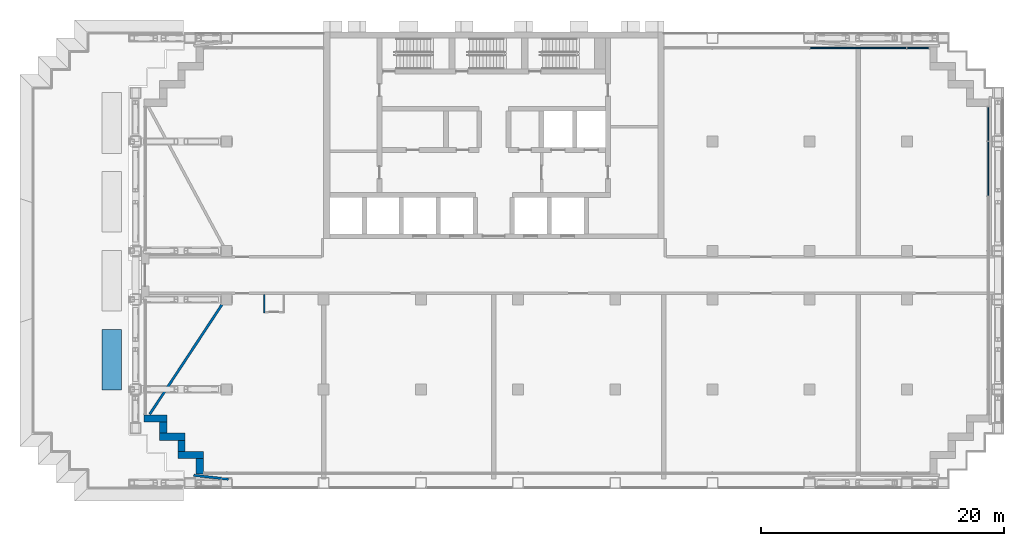
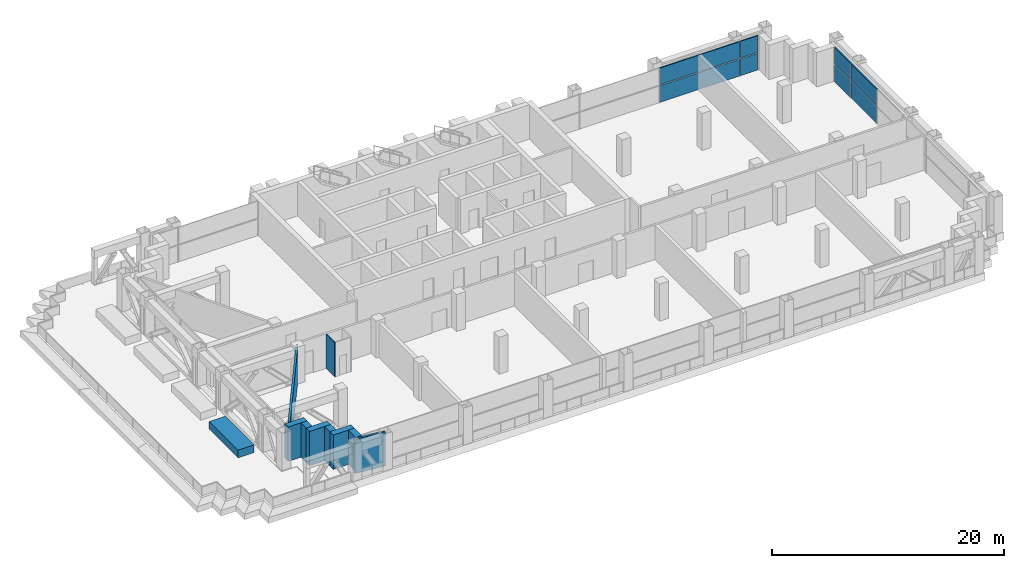
# One storey, part 7 of 19: 10 walls, 8 plates, 2 elements without a shape of their own.
"""IFC4 building model written with IfcOpenShell, lengths in metres."""

import ifcopenshell
import ifcopenshell.guid

model = None  # the IFC model being written
_history = None  # IfcOwnerHistory: only IFC2X3 demands one
_inside = {}  # id of a spatial element -> (the spatial element, [elements in it])
_under = {}  # id of a project, library or spatial element -> (it, [spatial elements below it])
_declared = {}  # id of a project -> (the project, [libraries it declares])
_typed = {}  # id of a type object -> (the type object, [elements of that type])
_made_of = {}  # id of a material, layer set ... -> (it, [elements and type objects made of it])


def new_model(schema):
    """Start an empty IFC model of exactly this schema.

    Asked for "IFC4X3", IfcOpenShell would pick the latest addendum, in which some entities
    have other attributes; the version numbers below select the first issue.
    IFC2X3 requires an IfcOwnerHistory on every rooted entity: one is made here for all.
    """
    global model, _history
    if schema == "IFC4X3":
        model = ifcopenshell.file(schema_version=(4, 3, 0, 0))
    else:
        model = ifcopenshell.file(schema=schema)
    _inside.clear()
    _under.clear()
    _declared.clear()
    _typed.clear()
    _made_of.clear()
    _history = None
    if model.schema == "IFC2X3":
        org = make("IfcOrganization", Name="unknown")
        user = make(
            "IfcPersonAndOrganization",
            ThePerson=make("IfcPerson", FamilyName="unknown"),
            TheOrganization=org,
        )
        app = make(
            "IfcApplication",
            ApplicationDeveloper=org,
            Version="unknown",
            ApplicationFullName="unknown",
            ApplicationIdentifier="unknown",
        )
        _history = make(
            "IfcOwnerHistory",
            OwningUser=user,
            OwningApplication=app,
            ChangeAction="ADDED",
            CreationDate=0,
        )
    return model


def make(cls, **values):
    """One entity of the class cls with the attributes given. An attribute that is None is left unset."""
    return model.create_entity(
        cls, **{name: value for name, value in values.items() if value is not None}
    )


def rooted(cls, **values):
    """An entity with a GlobalId (a new one), such as an element, a storey or a relation."""
    return make(cls, GlobalId=ifcopenshell.guid.new(), OwnerHistory=_history, **values)


def si_unit(unit_type, name, prefix=None):
    """IfcSIUnit, for example si_unit("LENGTHUNIT", "METRE", prefix="MILLI")."""
    return make("IfcSIUnit", UnitType=unit_type, Prefix=prefix, Name=name)


def assignment(units):
    """IfcUnitAssignment: the units of a project."""
    return None if units is None else make("IfcUnitAssignment", Units=units)


def point(xyz):
    """IfcCartesianPoint."""
    return None if xyz is None else make("IfcCartesianPoint", Coordinates=xyz)


def direction(xyz):
    """IfcDirection."""
    return None if xyz is None else make("IfcDirection", DirectionRatios=xyz)


def frame(location, z_axis=None, x_axis=None):
    """IfcAxis2Placement3D, a coordinate frame: its origin and axes. An axis left out is left unset."""
    return make(
        "IfcAxis2Placement3D",
        Location=point(location),
        Axis=direction(z_axis),
        RefDirection=direction(x_axis),
    )


def frame_2d(location, x_axis=None):
    """IfcAxis2Placement2D, a coordinate frame in the plane: its origin and x axis."""
    return make(
        "IfcAxis2Placement2D", Location=point(location), RefDirection=direction(x_axis)
    )


def origin():
    """The frame at (0, 0, 0) with its axes left unset."""
    return frame((0.0, 0.0, 0.0))


def origin_2d():
    """The frame at (0, 0) in the plane with its x axis left unset."""
    return frame_2d((0.0, 0.0))


def place(relative_to, where):
    """IfcLocalPlacement: puts the frame where relative to a parent placement (None: the world)."""
    return make(
        "IfcLocalPlacement", PlacementRelTo=relative_to, RelativePlacement=where
    )


def context(
    kind, dimensions, precision=None, world=None, true_north=None, identifier=None
):
    """IfcGeometricRepresentationContext, for example the 3D "Model" context."""
    return make(
        "IfcGeometricRepresentationContext",
        ContextIdentifier=identifier,
        ContextType=kind,
        CoordinateSpaceDimension=dimensions,
        Precision=precision,
        WorldCoordinateSystem=world,
        TrueNorth=true_north,
    )


def subcontext(parent, identifier, kind, view, scale=None):
    """IfcGeometricRepresentationSubContext, for example "Body" below "Model"."""
    return make(
        "IfcGeometricRepresentationSubContext",
        ContextIdentifier=identifier,
        ContextType=kind,
        ParentContext=parent,
        TargetScale=scale,
        TargetView=view,
    )


def project(units=None, contexts=None):
    """IfcProject with its units and contexts."""
    return rooted(
        "IfcProject",
        Name="project",
        RepresentationContexts=contexts,
        UnitsInContext=assignment(units),
    )


def spatial(cls, under=None, at=None, **own):
    """A site, building, storey or space (cls), placed at a placement, below another one or the project."""
    s = rooted(cls, ObjectPlacement=at, **own)
    if under is not None:
        _under.setdefault(under.id(), (under, []))[1].append(s)
    return s


def profile(cls, at=None, kind="AREA", **sizes):
    """A parametric profile (cls). Its sizes go by their IFC names, for example OverallWidth=200.0."""
    return make(cls, ProfileType=kind, Position=at, **sizes)


def rectangle(**sizes):
    """IfcRectangleProfileDef."""
    return profile("IfcRectangleProfileDef", **sizes)


def extrude(swept, where, along, depth):
    """IfcExtrudedAreaSolid: the profile swept, set in the frame where, extruded along a direction by depth."""
    return make(
        "IfcExtrudedAreaSolid",
        SweptArea=swept,
        Position=where,
        ExtrudedDirection=direction(along),
        Depth=depth,
    )


def shape(context_of_items, identifier, shape_type, items):
    """IfcShapeRepresentation: the items that make up one representation, for example the "Body"."""
    return make(
        "IfcShapeRepresentation",
        ContextOfItems=context_of_items,
        RepresentationIdentifier=identifier,
        RepresentationType=shape_type,
        Items=items,
    )


def material(Name=None, Category=None):
    """IfcMaterial."""
    return make("IfcMaterial", Name=Name, Category=Category)


def layer(
    of_material, thickness, ventilated=None, Name=None, Category=None, Priority=None
):
    """IfcMaterialLayer: one layer of a wall or slab, of a material (None: an air gap)."""
    return make(
        "IfcMaterialLayer",
        Material=of_material,
        LayerThickness=thickness,
        IsVentilated=ventilated,
        Name=Name,
        Category=Category,
        Priority=Priority,
    )


def layer_set(layers, Name=None):
    """IfcMaterialLayerSet."""
    return make("IfcMaterialLayerSet", MaterialLayers=layers, LayerSetName=Name)


def made_of(thing, what):
    """Note that an element or type object is made of a material, layer set ...; save() writes the relation."""
    if what is not None:
        _made_of.setdefault(what.id(), (what, []))[1].append(thing)
    return thing


def type_object(cls, material=None, **own):
    """A type object (cls), such as IfcWallType, which elements share."""
    return made_of(rooted(cls, **own), material)


def element(
    cls,
    number,
    at=None,
    inside=None,
    cuts=None,
    type_object=None,
    material=None,
    context=None,
    identifier="Body",
    shape_type=None,
    held_by="IfcProductDefinitionShape",
    body=None,
    shapes=None,
    **own,
):
    """One element of the class cls, such as IfcWall. Its Tag is "e" and its number.

    at: its placement. inside: the storey or other place that contains it. cuts: it is an
    opening in that element (IfcRelVoidsElement). A single representation is given by context,
    identifier, shape_type and body (its items); several are given by shapes. held_by: the class
    of the entity that holds the representations. save() writes the other relations.
    """
    e = rooted(cls, Tag="e%d" % number, ObjectPlacement=at, **own)
    if body is not None:
        shapes = [shape(context, identifier, shape_type, body)]
    if shapes is not None:
        e.Representation = make(held_by, Representations=shapes)
    if inside is not None:
        _inside.setdefault(inside.id(), (inside, []))[1].append(e)
    if cuts is not None:
        rooted(
            "IfcRelVoidsElement", RelatingBuildingElement=cuts, RelatedOpeningElement=e
        )
    if type_object is not None:
        _typed.setdefault(type_object.id(), (type_object, []))[1].append(e)
    return made_of(e, material)


def aggregate(whole, parts):
    """IfcRelAggregates: a whole, such as a stair, and the parts it consists of."""
    return rooted("IfcRelAggregates", RelatingObject=whole, RelatedObjects=parts)


def save(model, path):
    """Write the relations noted so far, then the file.

    IfcRelAggregates (storeys below a building ...), IfcRelContainedInSpatialStructure (elements
    in a storey), IfcRelDefinesByType, IfcRelAssociatesMaterial and IfcRelDeclares: one each for
    every whole, place, type object, material and project.
    """
    for whole, parts in _under.values():
        aggregate(whole, parts)
    for where, things in _inside.values():
        rooted(
            "IfcRelContainedInSpatialStructure",
            RelatedElements=things,
            RelatingStructure=where,
        )
    for kind, things in _typed.values():
        rooted("IfcRelDefinesByType", RelatedObjects=things, RelatingType=kind)
    for what, things in _made_of.values():
        rooted("IfcRelAssociatesMaterial", RelatedObjects=things, RelatingMaterial=what)
    for by, libraries in _declared.values():
        rooted("IfcRelDeclares", RelatingContext=by, RelatedDefinitions=libraries)
    model.write(path)


model = new_model("IFC4")

# Units and contexts
model_context = context("Model", 3, precision=1e-05, world=origin(), true_north=direction((0.0, 1.0)))
body_context = subcontext(model_context, "Body", "Model", "MODEL_VIEW")
ifc_project = project(units=[si_unit("LENGTHUNIT", "METRE"), si_unit("AREAUNIT", "SQUARE_METRE"), si_unit("VOLUMEUNIT", "CUBIC_METRE"), si_unit("PLANEANGLEUNIT", "RADIAN"), si_unit("MASSUNIT", "GRAM", prefix="KILO")], contexts=[model_context])

# Site, building, storey
site_placement = place(None, origin())
site = spatial("IfcSite", under=ifc_project, at=site_placement, CompositionType="ELEMENT")
building_placement = place(site_placement, origin())
building = spatial("IfcBuilding", under=site, at=building_placement, Name="Vidyagriha Tower", CompositionType="ELEMENT")
storey_placement = place(building_placement, frame((0.0, 0.0, 73.60009765625)))
storey = spatial("IfcBuildingStorey", under=building, at=storey_placement, Name="L18", CompositionType="ELEMENT", Elevation=73.60009765625)

# Curtain wall, plates
ifc_material_1 = material(Name="Aluminium and glass curtain wall", Category="aluminium")
curtain_wall_type = type_object("IfcCurtainWallType", Name="Plant louvre wall", PredefinedType="USERDEFINED", material=ifc_material_1)
curtain_wall_1_placement = place(storey_placement, origin())
curtain_wall_1 = element("IfcCurtainWall", 1, at=curtain_wall_1_placement, inside=storey, type_object=curtain_wall_type, Name="CW7 plant louvre wall", ObjectType="STICK GLAZING", PredefinedType="USERDEFINED")
ifc_material_2 = material(Name="Perforated fired clay brick jaali screen", Category="masonry")
ifc_layer_1 = layer(ifc_material_2, 0.10009765625)
ifc_layer_set_1 = layer_set([ifc_layer_1], Name="Perforated fired clay brick jaali screen")
plate_type = type_object("IfcPlateType", Name="Perforated brick jaali screen panel", PredefinedType="CURTAIN_PANEL", material=ifc_layer_set_1)
plate_1_placement = place(storey_placement, frame((34.929931640625, 18.699951171875, 0.0), z_axis=(0.0, 0.0, 1.0), x_axis=(-1.0, 0.0, 0.0)))
plate_1 = element("IfcPlate", 2, at=plate_1_placement, type_object=plate_type, Name="CW7 panel 1.1", PredefinedType="CURTAIN_PANEL", context=body_context, shape_type="SweptSolid", body=[
    extrude(rectangle(XDim=1.780029296875, YDim=0.10009765625, at=origin_2d()), origin(), (0.0, 0.0, 1.0), 1.760009765625),
])
plate_2_placement = place(storey_placement, frame((34.929931640625, 18.699951171875, 1.85986328125), z_axis=(0.0, 0.0, 1.0), x_axis=(-1.0, 0.0, 0.0)))
plate_2 = element("IfcPlate", 3, at=plate_2_placement, type_object=plate_type, Name="CW7 panel 1.2", PredefinedType="CURTAIN_PANEL", context=body_context, shape_type="SweptSolid", body=[
    extrude(rectangle(XDim=1.780029296875, YDim=0.10009765625, at=origin_2d()), origin(), (0.0, 0.0, 1.0), 1.760009765625),
])
plate_3_placement = place(storey_placement, frame((30.0, 18.699951171875, 0.0), z_axis=(0.0, 0.0, 1.0), x_axis=(-1.0, 0.0, 0.0)))
plate_3 = element("IfcPlate", 4, at=plate_3_placement, type_object=plate_type, Name="CW7 panel 2.1", PredefinedType="CURTAIN_PANEL", context=body_context, shape_type="SweptSolid", body=[
    extrude(rectangle(XDim=7.919921875, YDim=0.10009765625, at=origin_2d()), origin(), (0.0, 0.0, 1.0), 1.760009765625),
])
plate_4_placement = place(storey_placement, frame((30.0, 18.699951171875, 1.85986328125), z_axis=(0.0, 0.0, 1.0), x_axis=(-1.0, 0.0, 0.0)))
plate_4 = element("IfcPlate", 5, at=plate_4_placement, type_object=plate_type, Name="CW7 panel 2.2", PredefinedType="CURTAIN_PANEL", context=body_context, shape_type="SweptSolid", body=[
    extrude(rectangle(XDim=7.919921875, YDim=0.10009765625, at=origin_2d()), origin(), (0.0, 0.0, 1.0), 1.760009765625),
])
aggregate(curtain_wall_1, [plate_1, plate_2, plate_3, plate_4])

curtain_wall_2_placement = place(storey_placement, origin())
curtain_wall_2 = element("IfcCurtainWall", 6, at=curtain_wall_2_placement, inside=storey, type_object=curtain_wall_type, Name="CW7 plant louvre wall", ObjectType="STICK GLAZING", PredefinedType="USERDEFINED")
plate_5_placement = place(storey_placement, frame((40.699951171875, 8.75, 0.0), z_axis=(0.0, 0.0, 1.0), x_axis=(0.0, 1.0, 0.0)))
plate_5 = element("IfcPlate", 7, at=plate_5_placement, type_object=plate_type, Name="CW7 panel 5.1", PredefinedType="CURTAIN_PANEL", context=body_context, shape_type="SweptSolid", body=[
    extrude(rectangle(XDim=4.419921875, YDim=0.10009765625, at=origin_2d()), origin(), (0.0, 0.0, 1.0), 1.760009765625),
])
plate_6_placement = place(storey_placement, frame((40.699951171875, 8.75, 1.85986328125), z_axis=(0.0, 0.0, 1.0), x_axis=(0.0, 1.0, 0.0)))
plate_6 = element("IfcPlate", 8, at=plate_6_placement, type_object=plate_type, Name="CW7 panel 5.2", PredefinedType="CURTAIN_PANEL", context=body_context, shape_type="SweptSolid", body=[
    extrude(rectangle(XDim=4.419921875, YDim=0.10009765625, at=origin_2d()), origin(), (0.0, 0.0, 1.0), 1.760009765625),
])
plate_7_placement = place(storey_placement, frame((40.699951171875, 12.429931640625, 0.0), z_axis=(0.0, 0.0, 1.0), x_axis=(0.0, 1.0, 0.0)))
plate_7 = element("IfcPlate", 9, at=plate_7_placement, type_object=plate_type, Name="CW7 panel 6.1", PredefinedType="CURTAIN_PANEL", context=body_context, shape_type="SweptSolid", body=[
    extrude(rectangle(XDim=2.780029296875, YDim=0.10009765625, at=origin_2d()), origin(), (0.0, 0.0, 1.0), 1.760009765625),
])
plate_8_placement = place(storey_placement, frame((40.699951171875, 12.429931640625, 1.85986328125), z_axis=(0.0, 0.0, 1.0), x_axis=(0.0, 1.0, 0.0)))
plate_8 = element("IfcPlate", 10, at=plate_8_placement, type_object=plate_type, Name="CW7 panel 6.2", PredefinedType="CURTAIN_PANEL", context=body_context, shape_type="SweptSolid", body=[
    extrude(rectangle(XDim=2.780029296875, YDim=0.10009765625, at=origin_2d()), origin(), (0.0, 0.0, 1.0), 1.760009765625),
])
aggregate(curtain_wall_2, [plate_5, plate_6, plate_7, plate_8])

# Walls
ifc_material_3 = material(Name="Precast concrete C40/50 with brick facing", Category="concrete")
ifc_layer_2 = layer(ifc_material_3, 1.60009765625)
ifc_layer_set_2 = layer_set([ifc_layer_2], Name="Precast concrete C40/50 with brick facing")
wall_type_1 = type_object("IfcWallType", Name="Brick planter box 1600", PredefinedType="STANDARD", material=ifc_layer_set_2)
wall_1_placement = place(storey_placement, frame((-31.449951171875, -4.471435546875, 0.0), z_axis=(0.0, 0.0, 1.0), x_axis=(0.0, -1.0, 0.0)))
element("IfcWall", 11, at=wall_1_placement, inside=storey, type_object=wall_type_1, Name="PLANTER L18 4", PredefinedType="STANDARD", context=body_context, shape_type="SweptSolid", body=[
    extrude(rectangle(XDim=5.0, YDim=1.60009765625, at=frame_2d((2.5, 0.0))), origin(), (0.0, 0.0, 1.0), 0.7998046875),
])
ifc_material_4 = material(Name="Precast concrete C40/50 with brick facing", Category="concrete")
ifc_layer_3 = layer(ifc_material_4, 0.60009765625)
ifc_layer_set_3 = layer_set([ifc_layer_3], Name="Precast concrete C40/50 with brick facing")
wall_type_2 = type_object("IfcWallType", Name="Brick-faced precast wall 600", PredefinedType="STANDARD", material=ifc_layer_set_3)
wall_2_placement = place(storey_placement, frame((-28.780029296875, -11.800048828125, 0.0)))
element("IfcWall", 12, at=wall_2_placement, inside=storey, type_object=wall_type_2, Name="Stepped corner wall L18 R17", PredefinedType="STANDARD", context=body_context, shape_type="SweptSolid", body=[
    extrude(rectangle(XDim=1.880126953125, YDim=0.60009765625, at=frame_2d((0.93994140625, 0.0))), origin(), (0.0, 0.0, 1.0), 3.619873046875),
])
wall_3_placement = place(storey_placement, frame((-27.199951171875, -12.10009765625, 0.0), z_axis=(0.0, 0.0, 1.0), x_axis=(0.0, -1.0, 0.0)))
element("IfcWall", 13, at=wall_3_placement, inside=storey, type_object=wall_type_2, Name="Stepped corner wall L18 R18", PredefinedType="STANDARD", context=body_context, shape_type="SweptSolid", body=[
    extrude(rectangle(XDim=0.89990234375, YDim=0.60009765625, at=frame_2d((0.449951171875, 0.0))), origin(), (0.0, 0.0, 1.0), 3.619873046875),
])
wall_4_placement = place(storey_placement, frame((-27.5, -13.300048828125, 0.0)))
element("IfcWall", 14, at=wall_4_placement, inside=storey, type_object=wall_type_2, Name="Stepped corner wall L18 R19", PredefinedType="STANDARD", context=body_context, shape_type="SweptSolid", body=[
    extrude(rectangle(XDim=2.10009765625, YDim=0.60009765625, at=frame_2d((1.050048828125, 0.0))), origin(), (0.0, 0.0, 1.0), 3.619873046875),
])
wall_5_placement = place(storey_placement, frame((-25.699951171875, -13.60009765625, 0.0), z_axis=(0.0, 0.0, 1.0), x_axis=(0.0, -1.0, 0.0)))
element("IfcWall", 15, at=wall_5_placement, inside=storey, type_object=wall_type_2, Name="Stepped corner wall L18 R20", PredefinedType="STANDARD", context=body_context, shape_type="SweptSolid", body=[
    extrude(rectangle(XDim=0.89990234375, YDim=0.60009765625, at=frame_2d((0.449951171875, 0.0))), origin(), (0.0, 0.0, 1.0), 3.619873046875),
])
wall_6_placement = place(storey_placement, frame((-26.0, -14.800048828125, 0.0)))
element("IfcWall", 16, at=wall_6_placement, inside=storey, type_object=wall_type_2, Name="Stepped corner wall L18 R21", PredefinedType="STANDARD", context=body_context, shape_type="SweptSolid", body=[
    extrude(rectangle(XDim=2.10009765625, YDim=0.60009765625, at=frame_2d((1.050048828125, 0.0))), origin(), (0.0, 0.0, 1.0), 3.619873046875),
])
wall_7_placement = place(storey_placement, frame((-24.199951171875, -15.10009765625, 0.0), z_axis=(0.0, 0.0, 1.0), x_axis=(0.0, -1.0, 0.0)))
element("IfcWall", 17, at=wall_7_placement, inside=storey, type_object=wall_type_2, Name="Stepped corner wall L18 R22", PredefinedType="STANDARD", context=body_context, shape_type="SweptSolid", body=[
    extrude(rectangle(XDim=1.27978515625, YDim=0.60009765625, at=frame_2d((0.639892578125, 0.0))), origin(), (0.0, 0.0, 1.0), 3.619873046875),
])
ifc_material_5 = material(Name="Blockwork 15 MPa", Category="masonry")
ifc_layer_4 = layer(ifc_material_5, 0.199951171875)
ifc_layer_set_4 = layer_set([ifc_layer_4], Name="Blockwork 15 MPa")
wall_type_3 = type_object("IfcWallType", Name="Service room partition 200 mm", PredefinedType="PARTITIONING", material=ifc_layer_set_4)
wall_8_placement = place(storey_placement, frame((-24.699951171875, -16.47998046875, 0.0), z_axis=(0.0, 0.0, 1.0), x_axis=(0.99375222394, -0.111608769432, 0.0)))
element("IfcWall", 18, at=wall_8_placement, inside=storey, type_object=wall_type_3, Name="Plant room wall", PredefinedType="PARTITIONING", context=body_context, shape_type="SweptSolid", body=[
    extrude(rectangle(XDim=2.86767578125, YDim=0.199951171875, at=frame_2d((1.433837890625, 0.0))), origin(), (0.0, 0.0, 1.0), 3.619873046875),
])
wall_9_placement = place(storey_placement, frame((-28.31884765625, -11.4482421875, 0.0), z_axis=(0.0, 0.0, 1.0), x_axis=(0.550193026391, 0.835037504374, 0.0)))
element("IfcWall", 19, at=wall_9_placement, inside=storey, type_object=wall_type_3, Name="Plant room wall", PredefinedType="PARTITIONING", context=body_context, shape_type="SweptSolid", body=[
    extrude(rectangle(XDim=11.733642578125, YDim=0.199951171875, at=frame_2d((5.86669921875, 0.0))), origin(), (0.0, 0.0, 1.0), 3.619873046875),
])
ifc_material_6 = material(Name="Gypsum shaft liner")
ifc_layer_5 = layer(ifc_material_6, 0.10009765625)
ifc_layer_set_5 = layer_set([ifc_layer_5], Name="Gypsum shaft liner")
wall_type_4 = type_object("IfcWallType", Name="Shaft liner wall 100 mm", PredefinedType="PARTITIONING", material=ifc_layer_set_5)
wall_10_placement = place(storey_placement, frame((-18.89990234375, -1.60009765625, 0.0), z_axis=(0.0, 0.0, 1.0), x_axis=(0.0, -1.0, 0.0)))
element("IfcWall", 20, at=wall_10_placement, inside=storey, type_object=wall_type_4, Name="Riser liner wall", PredefinedType="PARTITIONING", context=body_context, shape_type="SweptSolid", body=[
    extrude(rectangle(XDim=1.5, YDim=0.10009765625, at=frame_2d((0.75, 0.0))), origin(), (0.0, 0.0, 1.0), 3.619873046875),
])

save(model, "model.ifc")
